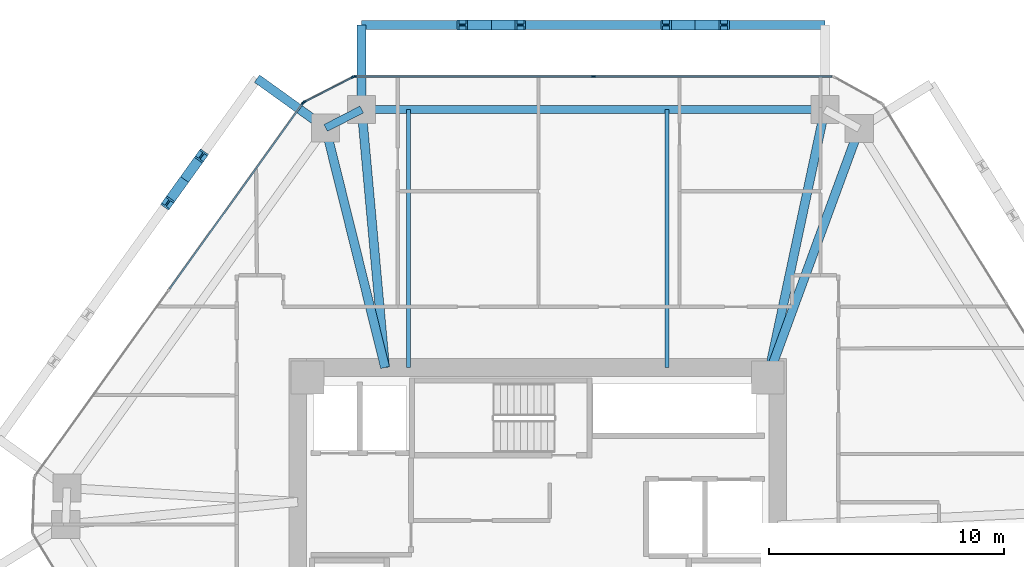
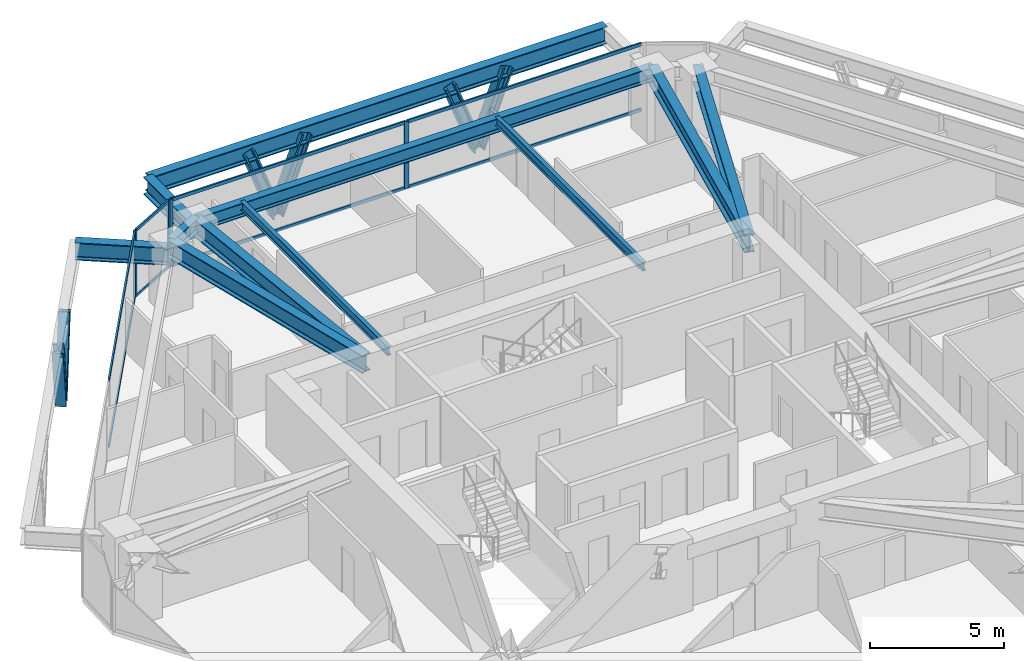
# One storey, part 7 of 14: 19 members, 11 beams, 3 elements without a shape of their own.
"""IFC4 building model written with IfcOpenShell, lengths in metres."""

from ifc_helpers import new_model, si_unit, direction, frame, origin, origin_2d, place, context, subcontext, project, spatial, rectangle, i_section, extrude, source, transform, mapped, material, layer, layer_set, material_profile, profile_set, type_object, type_shapes, element, aggregate, save


model = new_model("IFC4")

# Units and contexts
model_context = context("Model", 3, precision=1e-05, world=origin(), true_north=direction((0.0, 1.0)))
body_context = subcontext(model_context, "Body", "Model", "MODEL_VIEW")
ifc_project = project(units=[si_unit("LENGTHUNIT", "METRE"), si_unit("AREAUNIT", "SQUARE_METRE"), si_unit("VOLUMEUNIT", "CUBIC_METRE"), si_unit("PLANEANGLEUNIT", "RADIAN"), si_unit("MASSUNIT", "GRAM", prefix="KILO")], contexts=[model_context])

# Site, building, storey
site_placement = place(None, origin())
site = spatial("IfcSite", under=ifc_project, at=site_placement, CompositionType="ELEMENT")
building_placement = place(site_placement, origin())
building = spatial("IfcBuilding", under=site, at=building_placement, Name="Durnholm Broadcast Tower", CompositionType="ELEMENT")
storey_placement = place(building_placement, frame((0.0, 0.0, 114.0)))
storey = spatial("IfcBuildingStorey", under=building, at=storey_placement, Name="L30", CompositionType="ELEMENT", Elevation=114.0)

# Beams
ifc_material_1 = material(Name="Steel ASTM A992 Grade 50", Category="steel")
ifc_material_profile_1 = material_profile(ifc_material_1, i_section(OverallWidth=0.385009765625, OverallDepth=0.802978515625, WebThickness=0.023681640625, FlangeThickness=0.0419921875, FilletRadius=0.032958984375, at=origin_2d()), Name="W30X261")
ifc_profile_set_1 = profile_set([ifc_material_profile_1], Name="Steel ASTM A992 Grade 50")
beam_type_1 = type_object("IfcBeamType", Name="BM-EXO-TIE", PredefinedType="USERDEFINED", material=ifc_profile_set_1)
shared_shape_1 = source(origin(), body_context, "Body", "SweptSolid", [
    extrude(i_section(OverallWidth=0.385009765625, OverallDepth=0.802978515625, WebThickness=0.023681640625, FlangeThickness=0.0419921875, FilletRadius=0.032958984375, at=origin_2d()), origin(), (0.0, 0.0, 1.0), 3.4560546875),
])
beam_1_placement = place(storey_placement, frame((-7.498046875, 19.35888671875, 2.30859375), z_axis=(0.0, 1.0, 0.0), x_axis=(-1.0, 0.0, 0.0)))
element("IfcBeam", 1, at=beam_1_placement, inside=storey, type_object=beam_type_1, Name="L30 exoskeleton stand-off tie bracket F4.2", ObjectType="GIRDER", PredefinedType="USERDEFINED", context=body_context, shape_type="MappedRepresentation", body=[
    mapped(shared_shape_1, transform((0.0, 0.0, 0.0), x_axis=(1.0, 0.0, 0.0), y_axis=(0.0, 1.0, 0.0), z_axis=(0.0, 0.0, 1.0), scale=1.0)),
])
ifc_material_profile_2 = material_profile(ifc_material_1, i_section(OverallWidth=0.3291015625, OverallDepth=0.635009765625, WebThickness=0.017822265625, FlangeThickness=0.031005859375, FilletRadius=0.02783203125, at=origin_2d()), Name="W24X162")
ifc_profile_set_2 = profile_set([ifc_material_profile_2], Name="Steel ASTM A992 Grade 50")
beam_type_2 = type_object("IfcBeamType", Name="STL-SP-W24X162", PredefinedType="SPANDREL", material=ifc_profile_set_2)
shared_shape_2 = source(origin(), body_context, "Body", "SweptSolid", [
    extrude(i_section(OverallWidth=0.3291015625, OverallDepth=0.635009765625, WebThickness=0.017822265625, FlangeThickness=0.031005859375, FilletRadius=0.02783203125, at=origin_2d()), origin(), (0.0, 0.0, 1.0), 1.723876953125),
])
beam_2_placement = place(storey_placement, frame((-9.031982421875, 18.42822265625, 2.7275390625), z_axis=(0.889762904339, 0.456423020959, 0.0), x_axis=(-0.456423020959, 0.889762904339, 0.0)))
element("IfcBeam", 2, at=beam_2_placement, inside=storey, type_object=beam_type_2, Name="L30 perimeter spandrel girder 04", PredefinedType="SPANDREL", context=body_context, shape_type="MappedRepresentation", body=[
    mapped(shared_shape_2, transform((0.0, 0.0, 0.0), x_axis=(1.0, 0.0, 0.0), y_axis=(0.0, 1.0, 0.0), z_axis=(0.0, 0.0, 1.0), scale=1.0)),
])
shared_shape_3 = source(origin(), body_context, "Body", "SweptSolid", [
    extrude(i_section(OverallWidth=0.3291015625, OverallDepth=0.635009765625, WebThickness=0.017822265625, FlangeThickness=0.031005859375, FilletRadius=0.02783203125, at=origin_2d()), origin(), (0.0, 0.0, 1.0), 19.72802734375),
])
type_shapes(beam_type_2, [shared_shape_2, shared_shape_3])
beam_3_placement = place(storey_placement, frame((-7.498046875, 19.215087890625, 2.7275390625), z_axis=(1.0, 0.0, 0.0), x_axis=(0.0, 1.0, 0.0)))
element("IfcBeam", 3, at=beam_3_placement, inside=storey, type_object=beam_type_2, Name="L30 perimeter spandrel girder 05", PredefinedType="SPANDREL", context=body_context, shape_type="MappedRepresentation", body=[
    mapped(shared_shape_3, transform((0.0, 0.0, 0.0), x_axis=(1.0, 0.0, 0.0), y_axis=(0.0, 1.0, 0.0), z_axis=(0.0, 0.0, 1.0), scale=1.0)),
])
ifc_material_profile_3 = material_profile(ifc_material_1, i_section(OverallWidth=0.385009765625, OverallDepth=0.802978515625, WebThickness=0.023681640625, FlangeThickness=0.0419921875, FilletRadius=0.032958984375, at=origin_2d()), Name="W30X261")
ifc_profile_set_3 = profile_set([ifc_material_profile_3], Name="Steel ASTM A992 Grade 50")
beam_type_3 = type_object("IfcBeamType", Name="STL-GR-W30X261", PredefinedType="USERDEFINED", material=ifc_profile_set_3)
shared_shape_4 = source(origin(), body_context, "Body", "SweptSolid", [
    extrude(i_section(OverallWidth=0.385009765625, OverallDepth=0.802978515625, WebThickness=0.023681640625, FlangeThickness=0.0419921875, FilletRadius=0.032958984375, at=origin_2d()), origin(), (0.0, 0.0, 1.0), 10.5126953125),
])
beam_4_placement = place(storey_placement, frame((-6.5, 8.22509765625, 2.6435546875), z_axis=(-0.240852230194, 0.970561797729, 0.0), x_axis=(-0.970561797729, -0.240852230194, 0.0)))
element("IfcBeam", 4, at=beam_4_placement, inside=storey, type_object=beam_type_3, Name="L30 radial primary floor girder 04", ObjectType="GIRDER", PredefinedType="USERDEFINED", context=body_context, shape_type="MappedRepresentation", body=[
    mapped(shared_shape_4, transform((0.0, 0.0, 0.0), x_axis=(1.0, 0.0, 0.0), y_axis=(0.0, 1.0, 0.0), z_axis=(0.0, 0.0, 1.0), scale=1.0)),
])
shared_shape_5 = source(origin(), body_context, "Body", "SweptSolid", [
    extrude(i_section(OverallWidth=0.385009765625, OverallDepth=0.802978515625, WebThickness=0.023681640625, FlangeThickness=0.0419921875, FilletRadius=0.032958984375, at=origin_2d()), origin(), (0.0, 0.0, 1.0), 11.03515625),
])
beam_5_placement = place(storey_placement, frame((-6.5, 8.22509765625, 2.6435546875), z_axis=(-0.090441991612, 0.995901725148, 0.0), x_axis=(-0.995901725148, -0.090441991612, 0.0)))
element("IfcBeam", 5, at=beam_5_placement, inside=storey, type_object=beam_type_3, Name="L30 radial primary floor girder 05", ObjectType="GIRDER", PredefinedType="USERDEFINED", context=body_context, shape_type="MappedRepresentation", body=[
    mapped(shared_shape_5, transform((0.0, 0.0, 0.0), x_axis=(1.0, 0.0, 0.0), y_axis=(0.0, 1.0, 0.0), z_axis=(0.0, 0.0, 1.0), scale=1.0)),
])
shared_shape_6 = source(origin(), body_context, "Body", "SweptSolid", [
    extrude(i_section(OverallWidth=0.385009765625, OverallDepth=0.802978515625, WebThickness=0.023681640625, FlangeThickness=0.0419921875, FilletRadius=0.032958984375, at=origin_2d()), origin(), (0.0, 0.0, 1.0), 11.6708984375),
])
beam_6_placement = place(storey_placement, frame((9.800048828125, 7.800048828125, 2.6435546875), z_axis=(0.208206004915, 0.97808499606, 0.0), x_axis=(-0.97808499606, 0.208206004915, 0.0)))
element("IfcBeam", 6, at=beam_6_placement, inside=storey, type_object=beam_type_3, Name="L30 radial primary floor girder 06", ObjectType="GIRDER", PredefinedType="USERDEFINED", context=body_context, shape_type="MappedRepresentation", body=[
    mapped(shared_shape_6, transform((0.0, 0.0, 0.0), x_axis=(1.0, 0.0, 0.0), y_axis=(0.0, 1.0, 0.0), z_axis=(0.0, 0.0, 1.0), scale=1.0)),
])
shared_shape_7 = source(origin(), body_context, "Body", "SweptSolid", [
    extrude(i_section(OverallWidth=0.385009765625, OverallDepth=0.802978515625, WebThickness=0.023681640625, FlangeThickness=0.0419921875, FilletRadius=0.032958984375, at=origin_2d()), origin(), (0.0, 0.0, 1.0), 11.293212890625),
])
type_shapes(beam_type_3, [shared_shape_4, shared_shape_5, shared_shape_6, shared_shape_7])
beam_7_placement = place(storey_placement, frame((9.800048828125, 7.800048828125, 2.6435546875), z_axis=(0.344640193759, 0.938734859716, 0.0), x_axis=(-0.938734859716, 0.344640193759, 0.0)))
element("IfcBeam", 7, at=beam_7_placement, inside=storey, type_object=beam_type_3, Name="L30 radial primary floor girder 07", ObjectType="GIRDER", PredefinedType="USERDEFINED", context=body_context, shape_type="MappedRepresentation", body=[
    mapped(shared_shape_7, transform((0.0, 0.0, 0.0), x_axis=(1.0, 0.0, 0.0), y_axis=(0.0, 1.0, 0.0), z_axis=(0.0, 0.0, 1.0), scale=1.0)),
])
ifc_material_profile_4 = material_profile(ifc_material_1, i_section(OverallWidth=0.177734375, OverallDepth=0.40673828125, WebThickness=0.0078125, FlangeThickness=0.0126953125, FilletRadius=0.01904296875, at=origin_2d()), Name="W16X40")
ifc_profile_set_4 = profile_set([ifc_material_profile_4], Name="Steel ASTM A992 Grade 50")
beam_type_4 = type_object("IfcBeamType", Name="STL-BJ-W16X40", PredefinedType="JOIST", material=ifc_profile_set_4)
shared_shape_8 = source(origin(), body_context, "Body", "SweptSolid", [
    extrude(i_section(OverallWidth=0.177734375, OverallDepth=0.40673828125, WebThickness=0.0078125, FlangeThickness=0.0126953125, FilletRadius=0.01904296875, at=origin_2d()), origin(), (0.0, 0.0, 1.0), 10.989990234375),
])
type_shapes(beam_type_4, [shared_shape_8])
for number, where, z_axis, x_axis, name in (
    (8, (-5.5, 8.22509765625, 2.841796875), (0.0, 1.0, 0.0), (-1.0, 0.0, 0.0), "L30 secondary floor joist 3.2"),
    (9, (5.5, 8.22509765625, 2.841796875), (0.0, 1.0, 0.0), (-1.0, 0.0, 0.0), "L30 secondary floor joist 4.2"),
):
    element("IfcBeam", number, at=place(storey_placement, frame(where, z_axis=z_axis, x_axis=x_axis)), inside=storey, type_object=beam_type_4, Name=name, PredefinedType="JOIST", context=body_context, shape_type="MappedRepresentation", body=[
        mapped(shared_shape_8, transform((0.0, 0.0, 0.0), x_axis=(1.0, 0.0, 0.0), y_axis=(0.0, 1.0, 0.0), z_axis=(0.0, 0.0, 1.0), scale=1.0)),
    ])
shared_shape_9 = source(origin(), body_context, "Body", "SweptSolid", [
    extrude(i_section(OverallWidth=0.385009765625, OverallDepth=0.802978515625, WebThickness=0.023681640625, FlangeThickness=0.0419921875, FilletRadius=0.032958984375, at=origin_2d()), origin(), (0.0, 0.0, 1.0), 19.72802734375),
])
beam_8_placement = place(storey_placement, frame((12.22998046875, 22.81494140625, 2.30859375), z_axis=(-1.0, 0.0, 0.0), x_axis=(0.0, -1.0, 0.0)))
element("IfcBeam", 10, at=beam_8_placement, inside=storey, type_object=beam_type_1, Name="L30 exoskeleton collector spandrel F4", PredefinedType="SPANDREL", context=body_context, shape_type="MappedRepresentation", body=[
    mapped(shared_shape_9, transform((0.0, 0.0, 0.0), x_axis=(1.0, 0.0, 0.0), y_axis=(0.0, 1.0, 0.0), z_axis=(0.0, 0.0, 1.0), scale=1.0)),
])
shared_shape_10 = source(origin(), body_context, "Body", "SweptSolid", [
    extrude(i_section(OverallWidth=0.385009765625, OverallDepth=0.802978515625, WebThickness=0.023681640625, FlangeThickness=0.0419921875, FilletRadius=0.032958984375, at=origin_2d()), origin(), (0.0, 0.0, 1.0), 3.456298828125),
])
type_shapes(beam_type_1, [shared_shape_1, shared_shape_9, shared_shape_10])
beam_9_placement = place(storey_placement, frame((-9.14892578125, 18.51220703125, 2.30859375), z_axis=(-0.812131479052, 0.583474473077, 0.0), x_axis=(-0.583474473077, -0.812131479052, 0.0)))
element("IfcBeam", 11, at=beam_9_placement, inside=storey, type_object=beam_type_1, Name="L30 exoskeleton stand-off tie bracket F5.1", ObjectType="GIRDER", PredefinedType="USERDEFINED", context=body_context, shape_type="MappedRepresentation", body=[
    mapped(shared_shape_10, transform((0.0, 0.0, 0.0), x_axis=(1.0, 0.0, 0.0), y_axis=(0.0, 1.0, 0.0), z_axis=(0.0, 0.0, 1.0), scale=1.0)),
])

# Members
ifc_material_2 = material(Name="Steel ASTM A913 Grade 65", Category="steel")
ifc_material_profile_5 = material_profile(ifc_material_2, i_section(OverallWidth=0.424072265625, OverallDepth=0.47412109375, WebThickness=0.047607421875, FlangeThickness=0.0771484375, FilletRadius=0.030517578125, at=origin_2d()), Name="W14X426")
ifc_profile_set_5 = profile_set([ifc_material_profile_5], Name="Steel ASTM A913 Grade 65")
member_type_1 = type_object("IfcMemberType", Name="STL-DG-W14X426", PredefinedType="BRACE", material=ifc_profile_set_5)
shared_shape_11 = source(origin(), body_context, "Body", "SweptSolid", [
    extrude(i_section(OverallWidth=0.424072265625, OverallDepth=0.47412109375, WebThickness=0.047607421875, FlangeThickness=0.0771484375, FilletRadius=0.030517578125, at=origin_2d()), origin(), (0.0, 0.0, 1.0), 3.523193359375),
])
type_shapes(member_type_1, [shared_shape_11])
for number, where, z_axis, x_axis, name in (
    (12, (6.7060546875, 22.81494140625, -0.991455078125), (0.350219588454, 0.0, 0.936667625075), (0.0, 1.0, 0.0), "L30 stand-off diagrid brace F4.D1.1"),
    (13, (6.7060546875, 22.81494140625, -0.991455078125), (-0.350158790071, 0.0, 0.936690355313), (0.0, -1.0, 0.0), "L30 stand-off diagrid brace F4.D1.2"),
    (14, (-1.974365234375, 22.81494140625, -0.991455078125), (0.350219588454, 0.0, 0.936667625075), (0.0, 1.0, 0.0), "L30 stand-off diagrid brace F4.D2.1"),
    (15, (-1.974365234375, 22.81494140625, -0.991455078125), (-0.350158790071, 0.0, 0.936690355313), (0.0, -1.0, 0.0), "L30 stand-off diagrid brace F4.D2.2"),
    (16, (-15.040771484375, 16.234375, -0.991455078125), (0.204287819296, 0.284395254542, 0.936688756248), (-0.812179469647, 0.583407669717, 0.0), "L30 stand-off diagrid brace F5.D1.1"),
    (17, (-15.040771484375, 16.234375, -0.991455078125), (-0.204354222964, -0.284391227889, 0.936675493998), (0.812085698931, -0.583538188632, 0.0), "L30 stand-off diagrid brace F5.D1.2"),
):
    element("IfcMember", number, at=place(storey_placement, frame(where, z_axis=z_axis, x_axis=x_axis)), inside=storey, type_object=member_type_1, Name=name, PredefinedType="BRACE", context=body_context, shape_type="MappedRepresentation", body=[
        mapped(shared_shape_11, transform((0.0, 0.0, 0.0), x_axis=(1.0, 0.0, 0.0), y_axis=(0.0, 1.0, 0.0), z_axis=(0.0, 0.0, 1.0), scale=1.0)),
    ])

# Curtain wall, members
ifc_material_3 = material(Name="Aluminium and Solar Control IGU", Category="aluminium")
ifc_layer_1 = layer(ifc_material_3, 0.1650390625)
ifc_layer_set_1 = layer_set([ifc_layer_1], Name="Aluminium and Solar Control IGU")
curtain_wall_type_1 = type_object("IfcCurtainWallType", Name="CW-SYS-5", PredefinedType="NOTDEFINED", material=ifc_layer_set_1)
curtain_wall_1_placement = place(storey_placement, origin())
curtain_wall_1 = element("IfcCurtainWall", 18, at=curtain_wall_1_placement, inside=storey, type_object=curtain_wall_type_1, Name="L30 curtain wall CW-CORNER CW-L30-CRN-03", PredefinedType="NOTDEFINED")
ifc_material_4 = material(Name="Aluminium 6063-T6", Category="aluminium")
ifc_material_profile_6 = material_profile(ifc_material_4, rectangle(XDim=0.06494140625, YDim=0.1650390625, at=origin_2d()), Name="CWM65X165")
ifc_profile_set_6 = profile_set([ifc_material_profile_6], Name="Aluminium 6063-T6")
member_type_2 = type_object("IfcMemberType", Name="CW-SYS-5-MUL", PredefinedType="MULLION", material=ifc_profile_set_6)
shared_shape_12 = source(origin(), body_context, "Body", "SweptSolid", [
    extrude(rectangle(XDim=0.06494140625, YDim=0.1650390625, at=origin_2d()), origin(), (0.0, 0.0, 1.0), 3.06005859375),
])
type_shapes(member_type_2, [shared_shape_12])
member_1_placement = place(storey_placement, frame((-9.94287109375, 19.534423828125, 0.0), z_axis=(0.0, 0.0, 1.0), x_axis=(-0.45637332267, 0.889788396392, 0.0)))
member_1 = element("IfcMember", 19, at=member_1_placement, type_object=member_type_2, Name="CW-CORNER mullion 1", PredefinedType="MULLION", context=body_context, shape_type="MappedRepresentation", body=[
    mapped(shared_shape_12, transform((0.0, 0.0, 0.0), x_axis=(1.0, 0.0, 0.0), y_axis=(0.0, 1.0, 0.0), z_axis=(0.0, 0.0, 1.0), scale=1.0)),
])
member_2_placement = place(storey_placement, frame((-7.865234375, 20.60009765625, 0.0), z_axis=(0.0, 0.0, 1.0), x_axis=(-0.45637332267, 0.889788396392, 0.0)))
member_2 = element("IfcMember", 20, at=member_2_placement, type_object=member_type_2, Name="CW-CORNER mullion 2", PredefinedType="MULLION", context=body_context, shape_type="MappedRepresentation", body=[
    mapped(shared_shape_12, transform((0.0, 0.0, 0.0), x_axis=(1.0, 0.0, 0.0), y_axis=(0.0, 1.0, 0.0), z_axis=(0.0, 0.0, 1.0), scale=1.0)),
])

# Curtain wall, member
ifc_layer_2 = layer(ifc_material_3, 0.18994140625)
ifc_layer_set_2 = layer_set([ifc_layer_2], Name="Aluminium and Solar Control IGU")
curtain_wall_type_2 = type_object("IfcCurtainWallType", Name="CW-SYS-3", PredefinedType="NOTDEFINED", material=ifc_layer_set_2)
curtain_wall_2_placement = place(storey_placement, origin())
curtain_wall_2 = element("IfcCurtainWall", 21, at=curtain_wall_2_placement, inside=storey, type_object=curtain_wall_type_2, Name="L30 curtain wall CW-Z12-VIS CW-L30-F02", PredefinedType="NOTDEFINED")
ifc_material_profile_7 = material_profile(ifc_material_4, rectangle(XDim=0.070068359375, YDim=0.18994140625, at=origin_2d()), Name="CWM70X190")
ifc_profile_set_7 = profile_set([ifc_material_profile_7], Name="Aluminium 6063-T6")
member_type_3 = type_object("IfcMemberType", Name="CW-SYS-3-MUL", PredefinedType="MULLION", material=ifc_profile_set_7)
shared_shape_13 = source(origin(), body_context, "Body", "SweptSolid", [
    extrude(rectangle(XDim=0.070068359375, YDim=0.18994140625, at=origin_2d()), origin(), (0.0, 0.0, 1.0), 3.06005859375),
])
type_shapes(member_type_3, [shared_shape_13])
member_3_placement = place(storey_placement, frame((-9.9921875, 19.4912109375, 0.0), z_axis=(0.0, 0.0, 1.0), x_axis=(-0.812152312759, 0.583445473786, 0.0)))
member_3 = element("IfcMember", 22, at=member_3_placement, type_object=member_type_3, Name="CW-Z12-VIS mullion 3", PredefinedType="MULLION", context=body_context, shape_type="MappedRepresentation", body=[
    mapped(shared_shape_13, transform((0.0, 0.0, 0.0), x_axis=(1.0, 0.0, 0.0), y_axis=(0.0, 1.0, 0.0), z_axis=(0.0, 0.0, 1.0), scale=1.0)),
])

# Curtain wall, members
curtain_wall_3_placement = place(storey_placement, origin())
curtain_wall_3 = element("IfcCurtainWall", 23, at=curtain_wall_3_placement, inside=storey, type_object=curtain_wall_type_2, Name="L30 curtain wall CW-Z12-VIS CW-L30-F04", PredefinedType="NOTDEFINED")
member_4_placement = place(storey_placement, frame((-7.80126953125, 20.614990234375, 0.0), z_axis=(0.0, 0.0, 1.0), x_axis=(0.0, 1.0, 0.0)))
member_4 = element("IfcMember", 24, at=member_4_placement, type_object=member_type_3, Name="CW-Z12-VIS mullion 1", PredefinedType="MULLION", context=body_context, shape_type="MappedRepresentation", body=[
    mapped(shared_shape_13, transform((0.0, 0.0, 0.0), x_axis=(1.0, 0.0, 0.0), y_axis=(0.0, 1.0, 0.0), z_axis=(0.0, 0.0, 1.0), scale=1.0)),
])
member_5_placement = place(storey_placement, frame((2.37841796875, 20.614990234375, 0.0), z_axis=(0.0, 0.0, 1.0), x_axis=(0.0, 1.0, 0.0)))
member_5 = element("IfcMember", 25, at=member_5_placement, type_object=member_type_3, Name="CW-Z12-VIS mullion 2", PredefinedType="MULLION", context=body_context, shape_type="MappedRepresentation", body=[
    mapped(shared_shape_13, transform((0.0, 0.0, 0.0), x_axis=(1.0, 0.0, 0.0), y_axis=(0.0, 1.0, 0.0), z_axis=(0.0, 0.0, 1.0), scale=1.0)),
])

# Member
ifc_material_profile_8 = material_profile(ifc_material_4, rectangle(XDim=0.06494140625, YDim=0.1298828125, at=origin_2d()), Name="CWT65X130")
ifc_profile_set_8 = profile_set([ifc_material_profile_8], Name="Aluminium 6063-T6")
member_type_4 = type_object("IfcMemberType", Name="CW-SYS-5-TRN", PredefinedType="USERDEFINED", material=ifc_profile_set_8)
shared_shape_14 = source(origin(), body_context, "Body", "SweptSolid", [
    extrude(rectangle(XDim=0.06494140625, YDim=0.1298828125, at=origin_2d()), origin(), (0.0, 0.0, 1.0), 2.27001953125),
])
type_shapes(member_type_4, [shared_shape_14])
member_6_placement = place(storey_placement, frame((-9.913818359375, 19.54931640625, 0.032470703125), z_axis=(0.889754750021, 0.456438916849, 0.0), x_axis=(-0.456438916849, 0.889754750021, 0.0)))
member_6 = element("IfcMember", 26, at=member_6_placement, type_object=member_type_4, Name="CW-CORNER transom 1.1", ObjectType="TRANSOM", PredefinedType="USERDEFINED", context=body_context, shape_type="MappedRepresentation", body=[
    mapped(shared_shape_14, transform((0.0, 0.0, 0.0), x_axis=(1.0, 0.0, 0.0), y_axis=(0.0, 1.0, 0.0), z_axis=(0.0, 0.0, 1.0), scale=1.0)),
])

member_7_placement = place(storey_placement, frame((-9.913818359375, 19.54931640625, 3.027587890625), z_axis=(0.889754750021, 0.456438916849, 0.0), x_axis=(-0.456438916849, 0.889754750021, 0.0)))
member_7 = element("IfcMember", 27, at=member_7_placement, type_object=member_type_4, Name="CW-CORNER transom 1.2", ObjectType="TRANSOM", PredefinedType="USERDEFINED", context=body_context, shape_type="MappedRepresentation", body=[
    mapped(shared_shape_14, transform((0.0, 0.0, 0.0), x_axis=(1.0, 0.0, 0.0), y_axis=(0.0, 1.0, 0.0), z_axis=(0.0, 0.0, 1.0), scale=1.0)),
])

aggregate(curtain_wall_1, [member_1, member_2, member_6, member_7])

ifc_material_profile_9 = material_profile(ifc_material_4, rectangle(XDim=0.070068359375, YDim=0.14990234375, at=origin_2d()), Name="CWT70X150")
ifc_profile_set_9 = profile_set([ifc_material_profile_9], Name="Aluminium 6063-T6")
member_type_5 = type_object("IfcMemberType", Name="CW-SYS-3-TRN", PredefinedType="USERDEFINED", material=ifc_profile_set_9)
shared_shape_15 = source(origin(), body_context, "Body", "SweptSolid", [
    extrude(rectangle(XDim=0.070068359375, YDim=0.14990234375, at=origin_2d()), origin(), (0.0, 0.0, 1.0), 9.71875),
])
member_8_placement = place(storey_placement, frame((-15.682861328125, 11.56982421875, 0.034912109375), z_axis=(0.583450726174, 0.812148539448, 0.0), x_axis=(-0.812148539448, 0.583450726174, 0.0)))
member_8 = element("IfcMember", 28, at=member_8_placement, type_object=member_type_5, Name="CW-Z12-VIS transom 2.1", ObjectType="TRANSOM", PredefinedType="USERDEFINED", context=body_context, shape_type="MappedRepresentation", body=[
    mapped(shared_shape_15, transform((0.0, 0.0, 0.0), x_axis=(1.0, 0.0, 0.0), y_axis=(0.0, 1.0, 0.0), z_axis=(0.0, 0.0, 1.0), scale=1.0)),
])

member_9_placement = place(storey_placement, frame((-15.682861328125, 11.56982421875, 3.02490234375), z_axis=(0.583450726174, 0.812148539448, 0.0), x_axis=(-0.812148539448, 0.583450726174, 0.0)))
member_9 = element("IfcMember", 29, at=member_9_placement, type_object=member_type_5, Name="CW-Z12-VIS transom 2.2", ObjectType="TRANSOM", PredefinedType="USERDEFINED", context=body_context, shape_type="MappedRepresentation", body=[
    mapped(shared_shape_15, transform((0.0, 0.0, 0.0), x_axis=(1.0, 0.0, 0.0), y_axis=(0.0, 1.0, 0.0), z_axis=(0.0, 0.0, 1.0), scale=1.0)),
])

aggregate(curtain_wall_2, [member_3, member_8, member_9])

shared_shape_16 = source(origin(), body_context, "Body", "SweptSolid", [
    extrude(rectangle(XDim=0.070068359375, YDim=0.14990234375, at=origin_2d()), origin(), (0.0, 0.0, 1.0), 10.109619140625),
])
type_shapes(member_type_5, [shared_shape_15, shared_shape_16])
member_10_placement = place(storey_placement, frame((-7.76611328125, 20.614990234375, 0.034912109375), z_axis=(1.0, 0.0, 0.0), x_axis=(0.0, 1.0, 0.0)))
member_10 = element("IfcMember", 30, at=member_10_placement, type_object=member_type_5, Name="CW-Z12-VIS transom 1.1", ObjectType="TRANSOM", PredefinedType="USERDEFINED", context=body_context, shape_type="MappedRepresentation", body=[
    mapped(shared_shape_16, transform((0.0, 0.0, 0.0), x_axis=(1.0, 0.0, 0.0), y_axis=(0.0, 1.0, 0.0), z_axis=(0.0, 0.0, 1.0), scale=1.0)),
])

member_11_placement = place(storey_placement, frame((-7.76611328125, 20.614990234375, 3.02490234375), z_axis=(1.0, 0.0, 0.0), x_axis=(0.0, 1.0, 0.0)))
member_11 = element("IfcMember", 31, at=member_11_placement, type_object=member_type_5, Name="CW-Z12-VIS transom 1.2", ObjectType="TRANSOM", PredefinedType="USERDEFINED", context=body_context, shape_type="MappedRepresentation", body=[
    mapped(shared_shape_16, transform((0.0, 0.0, 0.0), x_axis=(1.0, 0.0, 0.0), y_axis=(0.0, 1.0, 0.0), z_axis=(0.0, 0.0, 1.0), scale=1.0)),
])

member_12_placement = place(storey_placement, frame((2.41357421875, 20.614990234375, 0.034912109375), z_axis=(1.0, 0.0, 0.0), x_axis=(0.0, 1.0, 0.0)))
member_12 = element("IfcMember", 32, at=member_12_placement, type_object=member_type_5, Name="CW-Z12-VIS transom 2.1", ObjectType="TRANSOM", PredefinedType="USERDEFINED", context=body_context, shape_type="MappedRepresentation", body=[
    mapped(shared_shape_16, transform((0.0, 0.0, 0.0), x_axis=(1.0, 0.0, 0.0), y_axis=(0.0, 1.0, 0.0), z_axis=(0.0, 0.0, 1.0), scale=1.0)),
])

member_13_placement = place(storey_placement, frame((2.41357421875, 20.614990234375, 3.02490234375), z_axis=(1.0, 0.0, 0.0), x_axis=(0.0, 1.0, 0.0)))
member_13 = element("IfcMember", 33, at=member_13_placement, type_object=member_type_5, Name="CW-Z12-VIS transom 2.2", ObjectType="TRANSOM", PredefinedType="USERDEFINED", context=body_context, shape_type="MappedRepresentation", body=[
    mapped(shared_shape_16, transform((0.0, 0.0, 0.0), x_axis=(1.0, 0.0, 0.0), y_axis=(0.0, 1.0, 0.0), z_axis=(0.0, 0.0, 1.0), scale=1.0)),
])

aggregate(curtain_wall_3, [member_4, member_5, member_10, member_11, member_12, member_13])

save(model, "model.ifc")
